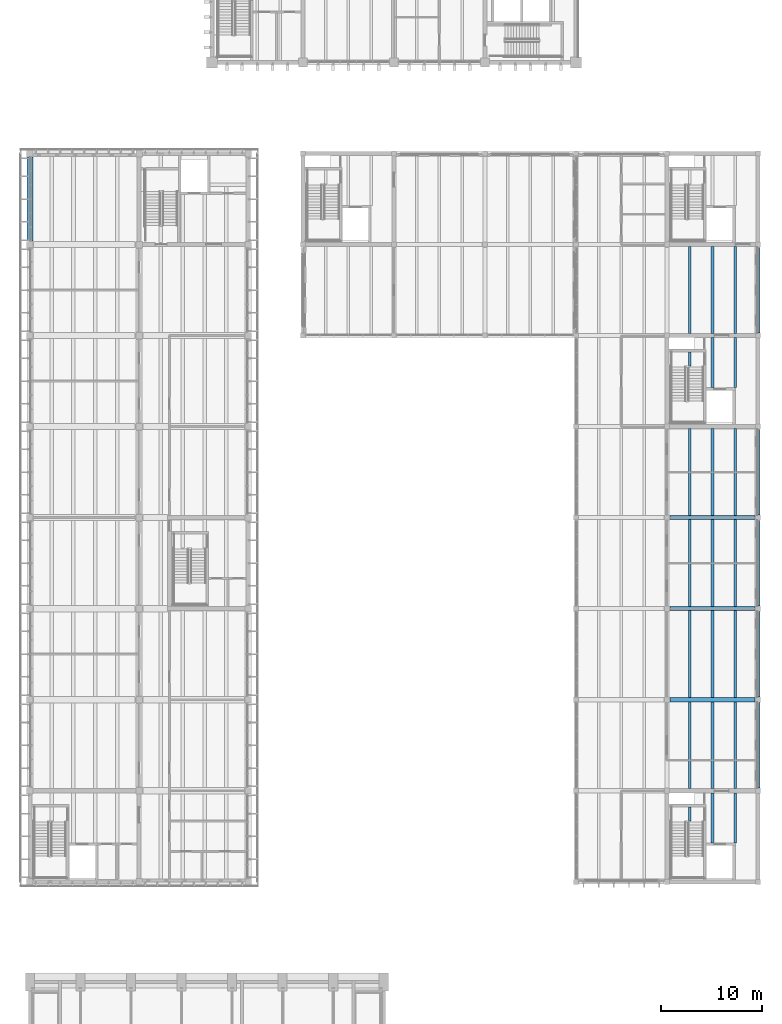
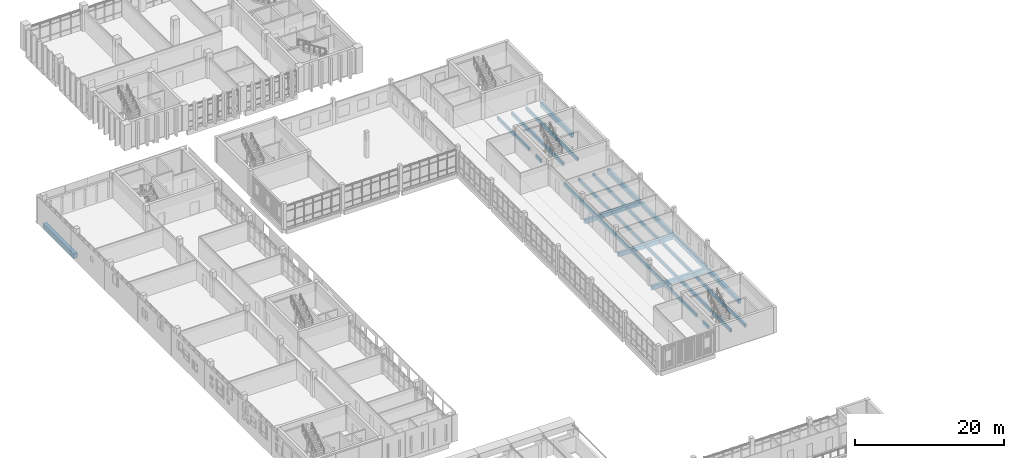
# One storey, part 26 of 92: 30 beams.
"""IFC4 building model written with IfcOpenShell, lengths in metres."""

from ifc_helpers import new_model, si_unit, direction, frame, origin, origin_2d, place, context, subcontext, project, spatial, rectangle, extrude, material, material_profile, profile_set, type_object, element, save


model = new_model("IFC4")

# Units and contexts
model_context = context("Model", 3, precision=1e-05, world=origin(), true_north=direction((0.0, 1.0)))
body_context = subcontext(model_context, "Body", "Model", "MODEL_VIEW")
ifc_project = project(units=[si_unit("LENGTHUNIT", "METRE"), si_unit("AREAUNIT", "SQUARE_METRE"), si_unit("VOLUMEUNIT", "CUBIC_METRE"), si_unit("PLANEANGLEUNIT", "RADIAN"), si_unit("MASSUNIT", "GRAM", prefix="KILO")], contexts=[model_context])

# Site, building, storey
site_placement = place(None, origin())
site = spatial("IfcSite", under=ifc_project, at=site_placement, CompositionType="ELEMENT")
building_placement = place(site_placement, origin())
building = spatial("IfcBuilding", under=site, at=building_placement, Name="Merrow Basin Faculty of Sciences", CompositionType="ELEMENT")
storey_placement = place(building_placement, frame((0.0, 0.0, 4.5)))
storey = spatial("IfcBuildingStorey", under=building, at=storey_placement, Name="L01", CompositionType="ELEMENT", Elevation=4.5)

# Beams
ifc_material_1 = material(Name="Concrete C40/50", Category="concrete")
ifc_material_profile_1 = material_profile(ifc_material_1, rectangle(XDim=0.39990234375, YDim=0.699951171875, at=origin_2d()))
ifc_profile_set_1 = profile_set([ifc_material_profile_1], Name="Concrete C40/50")
beam_type_1 = type_object("IfcBeamType", Name="Beam RC400x700 C40/50", PredefinedType="BEAM", material=ifc_profile_set_1)
for number, where, z_axis, x_axis, name in (
    (1, (63.27490234375, 79.0, -0.60009765625), (1.0, 0.0, 0.0), (0.0, 1.0, 0.0), "B3 L01 004"),
    (2, (63.27490234375, 88.0, -0.60009765625), (1.0, 0.0, 0.0), (0.0, 1.0, 0.0), "B3 L01 006"),
    (3, (63.27490234375, 97.0, -0.60009765625), (1.0, 0.0, 0.0), (0.0, 1.0, 0.0), "B3 L01 008"),
    (4, (72.0, 70.27490234375, -0.60009765625), (0.0, 1.0, 0.0), (-1.0, 0.0, 0.0), "B3 L01 037"),
    (5, (72.0, 79.27490234375, -0.60009765625), (0.0, 1.0, 0.0), (-1.0, 0.0, 0.0), "B3 L01 038"),
    (6, (72.0, 88.27490234375, -0.60009765625), (0.0, 1.0, 0.0), (-1.0, 0.0, 0.0), "B3 L01 039"),
    (7, (72.0, 97.27490234375, -0.60009765625), (0.0, 1.0, 0.0), (-1.0, 0.0, 0.0), "B3 L01 040"),
    (8, (72.0, 115.27490234375, -0.60009765625), (0.0, 1.0, 0.0), (-1.0, 0.0, 0.0), "B3 L01 041"),
):
    element("IfcBeam", number, at=place(storey_placement, frame(where, z_axis=z_axis, x_axis=x_axis)), inside=storey, type_object=beam_type_1, Name=name, PredefinedType="BEAM", context=body_context, shape_type="SweptSolid", body=[
        extrude(rectangle(XDim=0.39990234375, YDim=0.699951171875, at=origin_2d()), origin(), (0.0, 0.0, 1.0), 8.4501953125),
    ])
ifc_material_2 = material(Name="Concrete C40/50", Category="concrete")
ifc_material_profile_2 = material_profile(ifc_material_2, rectangle(XDim=0.60009765625, YDim=0.800048828125, at=origin_2d()))
ifc_profile_set_2 = profile_set([ifc_material_profile_2], Name="Concrete C40/50")
beam_type_2 = type_object("IfcBeamType", Name="Beam RC600x800 C40/50", PredefinedType="BEAM", material=ifc_profile_set_2)
beam_1_placement = place(storey_placement, frame((0.0, 124.35009765625, -0.699951171875), z_axis=(0.0, 1.0, 0.0), x_axis=(-1.0, 0.0, 0.0)))
element("IfcBeam", 9, at=beam_1_placement, inside=storey, type_object=beam_type_2, Name="B2 L01 021", PredefinedType="BEAM", context=body_context, shape_type="SweptSolid", body=[
    extrude(rectangle(XDim=0.60009765625, YDim=0.800048828125, at=origin_2d()), origin(), (0.0, 0.0, 1.0), 8.2998046875),
])
ifc_material_3 = material(Name="Concrete C40/50", Category="concrete")
ifc_material_profile_3 = material_profile(ifc_material_3, rectangle(XDim=0.25, YDim=0.550048828125, at=origin_2d()))
ifc_profile_set_3 = profile_set([ifc_material_profile_3], Name="Concrete C40/50")
beam_type_3 = type_object("IfcBeamType", Name="Commons floor joist RC250x550 C40/50", PredefinedType="BEAM", material=ifc_profile_set_3)
beam_2_placement = place(storey_placement, frame((65.25, 67.0, -0.52490234375), z_axis=(0.0, 1.0, 0.0), x_axis=(-1.0, 0.0, 0.0)))
element("IfcBeam", 10, at=beam_2_placement, inside=storey, type_object=beam_type_3, Name="JC1 L01 084", PredefinedType="BEAM", context=body_context, shape_type="SweptSolid", body=[
    extrude(rectangle(XDim=0.25, YDim=0.550048828125, at=origin_2d()), origin(), (0.0, 0.0, 1.0), 1.39990234375),
])
for number, where, z_axis, x_axis, name in (
    (11, (67.5, 64.85009765625, -0.52490234375), (0.0, 1.0, 0.0), (-1.0, 0.0, 0.0), "JC1 L01 085"),
    (12, (69.75, 64.85009765625, -0.52490234375), (0.0, 1.0, 0.0), (-1.0, 0.0, 0.0), "JC1 L01 086"),
):
    element("IfcBeam", number, at=place(storey_placement, frame(where, z_axis=z_axis, x_axis=x_axis)), inside=storey, type_object=beam_type_3, Name=name, PredefinedType="BEAM", context=body_context, shape_type="SweptSolid", body=[
        extrude(rectangle(XDim=0.25, YDim=0.550048828125, at=origin_2d()), origin(), (0.0, 0.0, 1.0), 4.949951171875),
    ])
for number, where, z_axis, x_axis, name in (
    (13, (65.25, 70.199951171875, -0.52490234375), (0.0, 1.0, 0.0), (-1.0, 0.0, 0.0), "JC1 L01 087"),
    (14, (67.5, 70.199951171875, -0.52490234375), (0.0, 1.0, 0.0), (-1.0, 0.0, 0.0), "JC1 L01 088"),
    (15, (69.75, 70.199951171875, -0.52490234375), (0.0, 1.0, 0.0), (-1.0, 0.0, 0.0), "JC1 L01 089"),
    (16, (65.25, 79.199951171875, -0.52490234375), (0.0, 1.0, 0.0), (-1.0, 0.0, 0.0), "JC1 L01 090"),
    (17, (67.5, 79.199951171875, -0.52490234375), (0.0, 1.0, 0.0), (-1.0, 0.0, 0.0), "JC1 L01 091"),
    (18, (69.75, 79.199951171875, -0.52490234375), (0.0, 1.0, 0.0), (-1.0, 0.0, 0.0), "JC1 L01 092"),
    (19, (65.25, 88.199951171875, -0.52490234375), (0.0, 1.0, 0.0), (-1.0, 0.0, 0.0), "JC1 L01 093"),
    (20, (67.5, 88.199951171875, -0.52490234375), (0.0, 1.0, 0.0), (-1.0, 0.0, 0.0), "JC1 L01 094"),
    (21, (69.75, 88.199951171875, -0.52490234375), (0.0, 1.0, 0.0), (-1.0, 0.0, 0.0), "JC1 L01 095"),
    (22, (65.25, 97.199951171875, -0.52490234375), (0.0, 1.0, 0.0), (-1.0, 0.0, 0.0), "JC1 L01 096"),
    (23, (67.5, 97.199951171875, -0.52490234375), (0.0, 1.0, 0.0), (-1.0, 0.0, 0.0), "JC1 L01 097"),
    (24, (69.75, 97.199951171875, -0.52490234375), (0.0, 1.0, 0.0), (-1.0, 0.0, 0.0), "JC1 L01 098"),
):
    element("IfcBeam", number, at=place(storey_placement, frame(where, z_axis=z_axis, x_axis=x_axis)), inside=storey, type_object=beam_type_3, Name=name, PredefinedType="BEAM", context=body_context, shape_type="SweptSolid", body=[
        extrude(rectangle(XDim=0.25, YDim=0.550048828125, at=origin_2d()), origin(), (0.0, 0.0, 1.0), 8.60009765625),
    ])
beam_3_placement = place(storey_placement, frame((65.25, 112.0, -0.52490234375), z_axis=(0.0, 1.0, 0.0), x_axis=(-1.0, 0.0, 0.0)))
element("IfcBeam", 25, at=beam_3_placement, inside=storey, type_object=beam_type_3, Name="JC1 L01 099", PredefinedType="BEAM", context=body_context, shape_type="SweptSolid", body=[
    extrude(rectangle(XDim=0.25, YDim=0.550048828125, at=origin_2d()), origin(), (0.0, 0.0, 1.0), 1.39990234375),
])
for number, where, z_axis, x_axis, name in (
    (26, (67.5, 109.85009765625, -0.52490234375), (0.0, 1.0, 0.0), (-1.0, 0.0, 0.0), "JC1 L01 100"),
    (27, (69.75, 109.85009765625, -0.52490234375), (0.0, 1.0, 0.0), (-1.0, 0.0, 0.0), "JC1 L01 101"),
):
    element("IfcBeam", number, at=place(storey_placement, frame(where, z_axis=z_axis, x_axis=x_axis)), inside=storey, type_object=beam_type_3, Name=name, PredefinedType="BEAM", context=body_context, shape_type="SweptSolid", body=[
        extrude(rectangle(XDim=0.25, YDim=0.550048828125, at=origin_2d()), origin(), (0.0, 0.0, 1.0), 4.949951171875),
    ])
for number, where, z_axis, x_axis, name in (
    (28, (65.25, 115.199951171875, -0.52490234375), (0.0, 1.0, 0.0), (-1.0, 0.0, 0.0), "JC1 L01 102"),
    (29, (67.5, 115.199951171875, -0.52490234375), (0.0, 1.0, 0.0), (-1.0, 0.0, 0.0), "JC1 L01 103"),
    (30, (69.75, 115.199951171875, -0.52490234375), (0.0, 1.0, 0.0), (-1.0, 0.0, 0.0), "JC1 L01 104"),
):
    element("IfcBeam", number, at=place(storey_placement, frame(where, z_axis=z_axis, x_axis=x_axis)), inside=storey, type_object=beam_type_3, Name=name, PredefinedType="BEAM", context=body_context, shape_type="SweptSolid", body=[
        extrude(rectangle(XDim=0.25, YDim=0.550048828125, at=origin_2d()), origin(), (0.0, 0.0, 1.0), 8.60009765625),
    ])

save(model, "model.ifc")
